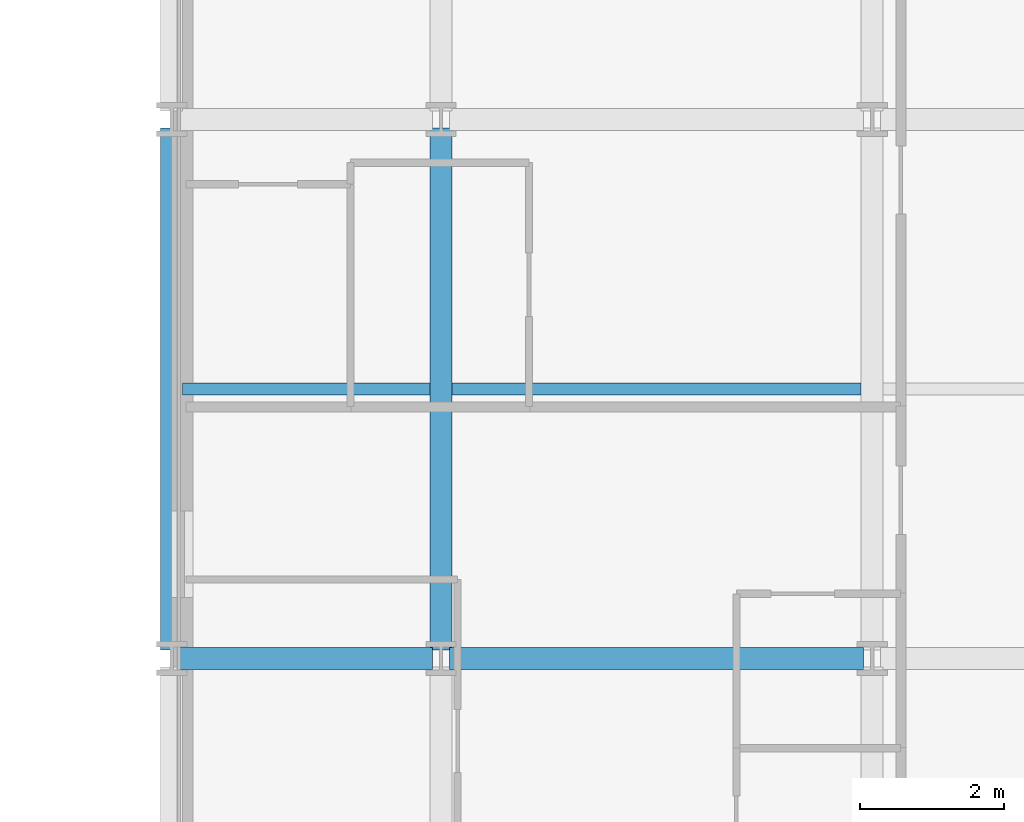
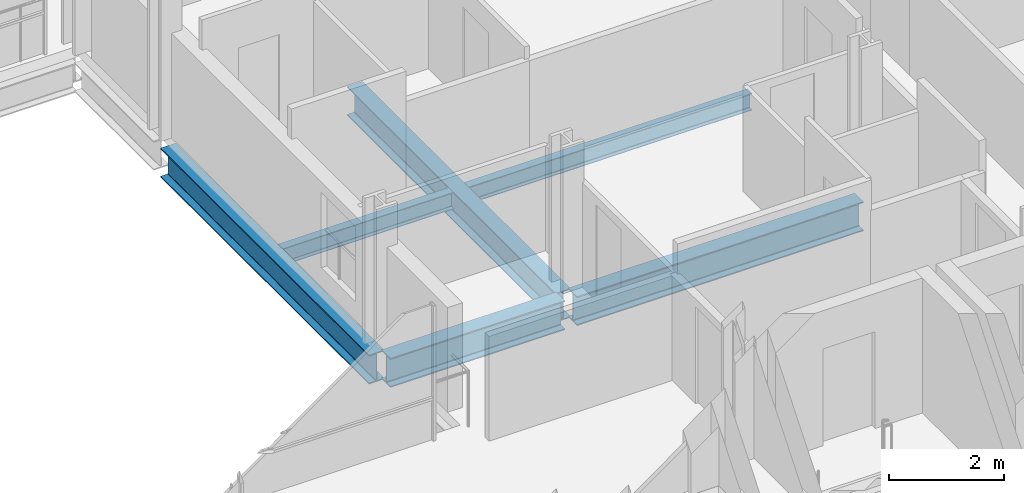
# One storey, part 16 of 41: 6 beams.
"""IFC4 building model written with IfcOpenShell, lengths in metres."""

import ifcopenshell
import ifcopenshell.guid

model = None  # the IFC model being written
_history = None  # IfcOwnerHistory: only IFC2X3 demands one
_inside = {}  # id of a spatial element -> (the spatial element, [elements in it])
_under = {}  # id of a project, library or spatial element -> (it, [spatial elements below it])
_declared = {}  # id of a project -> (the project, [libraries it declares])
_typed = {}  # id of a type object -> (the type object, [elements of that type])
_made_of = {}  # id of a material, layer set ... -> (it, [elements and type objects made of it])


def new_model(schema):
    """Start an empty IFC model of exactly this schema.

    Asked for "IFC4X3", IfcOpenShell would pick the latest addendum, in which some entities
    have other attributes; the version numbers below select the first issue.
    IFC2X3 requires an IfcOwnerHistory on every rooted entity: one is made here for all.
    """
    global model, _history
    if schema == "IFC4X3":
        model = ifcopenshell.file(schema_version=(4, 3, 0, 0))
    else:
        model = ifcopenshell.file(schema=schema)
    _inside.clear()
    _under.clear()
    _declared.clear()
    _typed.clear()
    _made_of.clear()
    _history = None
    if model.schema == "IFC2X3":
        org = make("IfcOrganization", Name="unknown")
        user = make(
            "IfcPersonAndOrganization",
            ThePerson=make("IfcPerson", FamilyName="unknown"),
            TheOrganization=org,
        )
        app = make(
            "IfcApplication",
            ApplicationDeveloper=org,
            Version="unknown",
            ApplicationFullName="unknown",
            ApplicationIdentifier="unknown",
        )
        _history = make(
            "IfcOwnerHistory",
            OwningUser=user,
            OwningApplication=app,
            ChangeAction="ADDED",
            CreationDate=0,
        )
    return model


def make(cls, **values):
    """One entity of the class cls with the attributes given. An attribute that is None is left unset."""
    return model.create_entity(
        cls, **{name: value for name, value in values.items() if value is not None}
    )


def rooted(cls, **values):
    """An entity with a GlobalId (a new one), such as an element, a storey or a relation."""
    return make(cls, GlobalId=ifcopenshell.guid.new(), OwnerHistory=_history, **values)


def si_unit(unit_type, name, prefix=None):
    """IfcSIUnit, for example si_unit("LENGTHUNIT", "METRE", prefix="MILLI")."""
    return make("IfcSIUnit", UnitType=unit_type, Prefix=prefix, Name=name)


def assignment(units):
    """IfcUnitAssignment: the units of a project."""
    return None if units is None else make("IfcUnitAssignment", Units=units)


def point(xyz):
    """IfcCartesianPoint."""
    return None if xyz is None else make("IfcCartesianPoint", Coordinates=xyz)


def direction(xyz):
    """IfcDirection."""
    return None if xyz is None else make("IfcDirection", DirectionRatios=xyz)


def frame(location, z_axis=None, x_axis=None):
    """IfcAxis2Placement3D, a coordinate frame: its origin and axes. An axis left out is left unset."""
    return make(
        "IfcAxis2Placement3D",
        Location=point(location),
        Axis=direction(z_axis),
        RefDirection=direction(x_axis),
    )


def frame_2d(location, x_axis=None):
    """IfcAxis2Placement2D, a coordinate frame in the plane: its origin and x axis."""
    return make(
        "IfcAxis2Placement2D", Location=point(location), RefDirection=direction(x_axis)
    )


def origin():
    """The frame at (0, 0, 0) with its axes left unset."""
    return frame((0.0, 0.0, 0.0))


def origin_2d():
    """The frame at (0, 0) in the plane with its x axis left unset."""
    return frame_2d((0.0, 0.0))


def place(relative_to, where):
    """IfcLocalPlacement: puts the frame where relative to a parent placement (None: the world)."""
    return make(
        "IfcLocalPlacement", PlacementRelTo=relative_to, RelativePlacement=where
    )


def context(
    kind, dimensions, precision=None, world=None, true_north=None, identifier=None
):
    """IfcGeometricRepresentationContext, for example the 3D "Model" context."""
    return make(
        "IfcGeometricRepresentationContext",
        ContextIdentifier=identifier,
        ContextType=kind,
        CoordinateSpaceDimension=dimensions,
        Precision=precision,
        WorldCoordinateSystem=world,
        TrueNorth=true_north,
    )


def subcontext(parent, identifier, kind, view, scale=None):
    """IfcGeometricRepresentationSubContext, for example "Body" below "Model"."""
    return make(
        "IfcGeometricRepresentationSubContext",
        ContextIdentifier=identifier,
        ContextType=kind,
        ParentContext=parent,
        TargetScale=scale,
        TargetView=view,
    )


def project(units=None, contexts=None):
    """IfcProject with its units and contexts."""
    return rooted(
        "IfcProject",
        Name="project",
        RepresentationContexts=contexts,
        UnitsInContext=assignment(units),
    )


def spatial(cls, under=None, at=None, **own):
    """A site, building, storey or space (cls), placed at a placement, below another one or the project."""
    s = rooted(cls, ObjectPlacement=at, **own)
    if under is not None:
        _under.setdefault(under.id(), (under, []))[1].append(s)
    return s


def profile(cls, at=None, kind="AREA", **sizes):
    """A parametric profile (cls). Its sizes go by their IFC names, for example OverallWidth=200.0."""
    return make(cls, ProfileType=kind, Position=at, **sizes)


def i_section(**sizes):
    """IfcIShapeProfileDef."""
    return profile("IfcIShapeProfileDef", **sizes)


def extrude(swept, where, along, depth):
    """IfcExtrudedAreaSolid: the profile swept, set in the frame where, extruded along a direction by depth."""
    return make(
        "IfcExtrudedAreaSolid",
        SweptArea=swept,
        Position=where,
        ExtrudedDirection=direction(along),
        Depth=depth,
    )


def shape(context_of_items, identifier, shape_type, items):
    """IfcShapeRepresentation: the items that make up one representation, for example the "Body"."""
    return make(
        "IfcShapeRepresentation",
        ContextOfItems=context_of_items,
        RepresentationIdentifier=identifier,
        RepresentationType=shape_type,
        Items=items,
    )


def material(Name=None, Category=None):
    """IfcMaterial."""
    return make("IfcMaterial", Name=Name, Category=Category)


def material_profile(
    of_material, cross_section, Name=None, Category=None, Priority=None
):
    """IfcMaterialProfile: a cross section and its material."""
    return make(
        "IfcMaterialProfile",
        Name=Name,
        Material=of_material,
        Profile=cross_section,
        Priority=Priority,
        Category=Category,
    )


def profile_set(profiles, Name=None, composite=None):
    """IfcMaterialProfileSet."""
    return make(
        "IfcMaterialProfileSet",
        Name=Name,
        MaterialProfiles=profiles,
        CompositeProfile=composite,
    )


def made_of(thing, what):
    """Note that an element or type object is made of a material, layer set ...; save() writes the relation."""
    if what is not None:
        _made_of.setdefault(what.id(), (what, []))[1].append(thing)
    return thing


def type_object(cls, material=None, **own):
    """A type object (cls), such as IfcWallType, which elements share."""
    return made_of(rooted(cls, **own), material)


def element(
    cls,
    number,
    at=None,
    inside=None,
    cuts=None,
    type_object=None,
    material=None,
    context=None,
    identifier="Body",
    shape_type=None,
    held_by="IfcProductDefinitionShape",
    body=None,
    shapes=None,
    **own,
):
    """One element of the class cls, such as IfcWall. Its Tag is "e" and its number.

    at: its placement. inside: the storey or other place that contains it. cuts: it is an
    opening in that element (IfcRelVoidsElement). A single representation is given by context,
    identifier, shape_type and body (its items); several are given by shapes. held_by: the class
    of the entity that holds the representations. save() writes the other relations.
    """
    e = rooted(cls, Tag="e%d" % number, ObjectPlacement=at, **own)
    if body is not None:
        shapes = [shape(context, identifier, shape_type, body)]
    if shapes is not None:
        e.Representation = make(held_by, Representations=shapes)
    if inside is not None:
        _inside.setdefault(inside.id(), (inside, []))[1].append(e)
    if cuts is not None:
        rooted(
            "IfcRelVoidsElement", RelatingBuildingElement=cuts, RelatedOpeningElement=e
        )
    if type_object is not None:
        _typed.setdefault(type_object.id(), (type_object, []))[1].append(e)
    return made_of(e, material)


def aggregate(whole, parts):
    """IfcRelAggregates: a whole, such as a stair, and the parts it consists of."""
    return rooted("IfcRelAggregates", RelatingObject=whole, RelatedObjects=parts)


def save(model, path):
    """Write the relations noted so far, then the file.

    IfcRelAggregates (storeys below a building ...), IfcRelContainedInSpatialStructure (elements
    in a storey), IfcRelDefinesByType, IfcRelAssociatesMaterial and IfcRelDeclares: one each for
    every whole, place, type object, material and project.
    """
    for whole, parts in _under.values():
        aggregate(whole, parts)
    for where, things in _inside.values():
        rooted(
            "IfcRelContainedInSpatialStructure",
            RelatedElements=things,
            RelatingStructure=where,
        )
    for kind, things in _typed.values():
        rooted("IfcRelDefinesByType", RelatedObjects=things, RelatingType=kind)
    for what, things in _made_of.values():
        rooted("IfcRelAssociatesMaterial", RelatedObjects=things, RelatingMaterial=what)
    for by, libraries in _declared.values():
        rooted("IfcRelDeclares", RelatingContext=by, RelatedDefinitions=libraries)
    model.write(path)


model = new_model("IFC4")

# Units and contexts
model_context = context("Model", 3, precision=1e-05, world=origin(), true_north=direction((0.0, 1.0)))
body_context = subcontext(model_context, "Body", "Model", "MODEL_VIEW")
ifc_project = project(units=[si_unit("LENGTHUNIT", "METRE"), si_unit("AREAUNIT", "SQUARE_METRE"), si_unit("VOLUMEUNIT", "CUBIC_METRE"), si_unit("PLANEANGLEUNIT", "RADIAN"), si_unit("MASSUNIT", "GRAM", prefix="KILO")], contexts=[model_context])

# Site, building, storey
site_placement = place(None, origin())
site = spatial("IfcSite", under=ifc_project, at=site_placement, CompositionType="ELEMENT")
building_placement = place(site_placement, origin())
building = spatial("IfcBuilding", under=site, at=building_placement, Name="Brevholm Reach", CompositionType="ELEMENT")
storey_placement = place(building_placement, frame((0.0, 0.0, 55.89990234375)))
storey = spatial("IfcBuildingStorey", under=building, at=storey_placement, Name="L15", CompositionType="ELEMENT", Elevation=55.89990234375)

# Beams
ifc_material_1 = material(Name="Structural Steel S355J2", Category="steel")
ifc_material_profile_1 = material_profile(ifc_material_1, i_section(OverallWidth=0.17138671875, OverallDepth=0.35498046875, WebThickness=0.00732421875, FlangeThickness=0.011474609375, FilletRadius=0.01025390625, at=origin_2d()), Name="UKB 356x171x51")
ifc_profile_set_1 = profile_set([ifc_material_profile_1], Name="Structural Steel S355J2")
beam_type_1 = type_object("IfcBeamType", Name="BM-B356", PredefinedType="BEAM", material=ifc_profile_set_1)
beam_1_placement = place(storey_placement, frame((38.403564453125, 19.75, -0.407470703125), z_axis=(1.0, 0.0, 0.0), x_axis=(0.0, 1.0, 0.0)))
element("IfcBeam", 1, at=beam_1_placement, inside=storey, type_object=beam_type_1, Name="L15 Composite Secondary Floor Beam", PredefinedType="BEAM", context=body_context, shape_type="SweptSolid", body=[
    extrude(i_section(OverallWidth=0.17138671875, OverallDepth=0.35498046875, WebThickness=0.00732421875, FlangeThickness=0.011474609375, FilletRadius=0.01025390625, at=origin_2d()), origin(), (0.0, 0.0, 1.0), 3.44287109375),
])
beam_2_placement = place(storey_placement, frame((42.153564453125, 19.75, -0.407470703125), z_axis=(1.0, 0.0, 0.0), x_axis=(0.0, 1.0, 0.0)))
element("IfcBeam", 2, at=beam_2_placement, inside=storey, type_object=beam_type_1, Name="L15 Composite Secondary Floor Beam", PredefinedType="BEAM", context=body_context, shape_type="SweptSolid", body=[
    extrude(i_section(OverallWidth=0.17138671875, OverallDepth=0.35498046875, WebThickness=0.00732421875, FlangeThickness=0.011474609375, FilletRadius=0.01025390625, at=origin_2d()), origin(), (0.0, 0.0, 1.0), 5.69287109375),
])
ifc_material_2 = material(Name="Structural Steel S355J2", Category="steel")
ifc_material_profile_2 = material_profile(ifc_material_2, i_section(OverallWidth=0.30712890625, OverallDepth=0.6201171875, WebThickness=0.01416015625, FlangeThickness=0.023681640625, FilletRadius=0.0166015625, at=origin_2d()), Name="UKB 610x305x179")
ifc_profile_set_2 = profile_set([ifc_material_profile_2], Name="Structural Steel S355J2")
beam_type_2 = type_object("IfcBeamType", Name="BM-UKB610H", PredefinedType="USERDEFINED", material=ifc_profile_set_2)
beam_3_placement = place(storey_placement, frame((38.3701171875, 16.0, -0.5400390625), z_axis=(1.0, 0.0, 0.0), x_axis=(0.0, 1.0, 0.0)))
element("IfcBeam", 3, at=beam_3_placement, inside=storey, type_object=beam_type_2, Name="L15 G-06 Framing Beam", ObjectType="GIRDER", PredefinedType="USERDEFINED", context=body_context, shape_type="SweptSolid", body=[
    extrude(i_section(OverallWidth=0.30712890625, OverallDepth=0.6201171875, WebThickness=0.01416015625, FlangeThickness=0.023681640625, FilletRadius=0.0166015625, at=origin_2d()), origin(), (0.0, 0.0, 1.0), 3.509765625),
])
beam_4_placement = place(storey_placement, frame((42.1201171875, 16.0, -0.5400390625), z_axis=(1.0, 0.0, 0.0), x_axis=(0.0, 1.0, 0.0)))
element("IfcBeam", 4, at=beam_4_placement, inside=storey, type_object=beam_type_2, Name="L15 G-06 Framing Beam", ObjectType="GIRDER", PredefinedType="USERDEFINED", context=body_context, shape_type="SweptSolid", body=[
    extrude(i_section(OverallWidth=0.30712890625, OverallDepth=0.6201171875, WebThickness=0.01416015625, FlangeThickness=0.023681640625, FilletRadius=0.0166015625, at=origin_2d()), origin(), (0.0, 0.0, 1.0), 5.759765625),
])
for number, where, z_axis, x_axis, name in (
    (5, (38.25, 16.1201171875, -0.5400390625), (0.0, 1.0, 0.0), (-1.0, 0.0, 0.0), "L15 G-06 Framing Beam"),
    (6, (42.0, 16.1201171875, -0.5400390625), (0.0, 1.0, 0.0), (-1.0, 0.0, 0.0), "L15 G-06 Framing Beam"),
):
    element("IfcBeam", number, at=place(storey_placement, frame(where, z_axis=z_axis, x_axis=x_axis)), inside=storey, type_object=beam_type_2, Name=name, ObjectType="GIRDER", PredefinedType="USERDEFINED", context=body_context, shape_type="SweptSolid", body=[
        extrude(i_section(OverallWidth=0.30712890625, OverallDepth=0.6201171875, WebThickness=0.01416015625, FlangeThickness=0.023681640625, FilletRadius=0.0166015625, at=origin_2d()), origin(), (0.0, 0.0, 1.0), 7.259765625),
    ])

save(model, "model.ifc")
